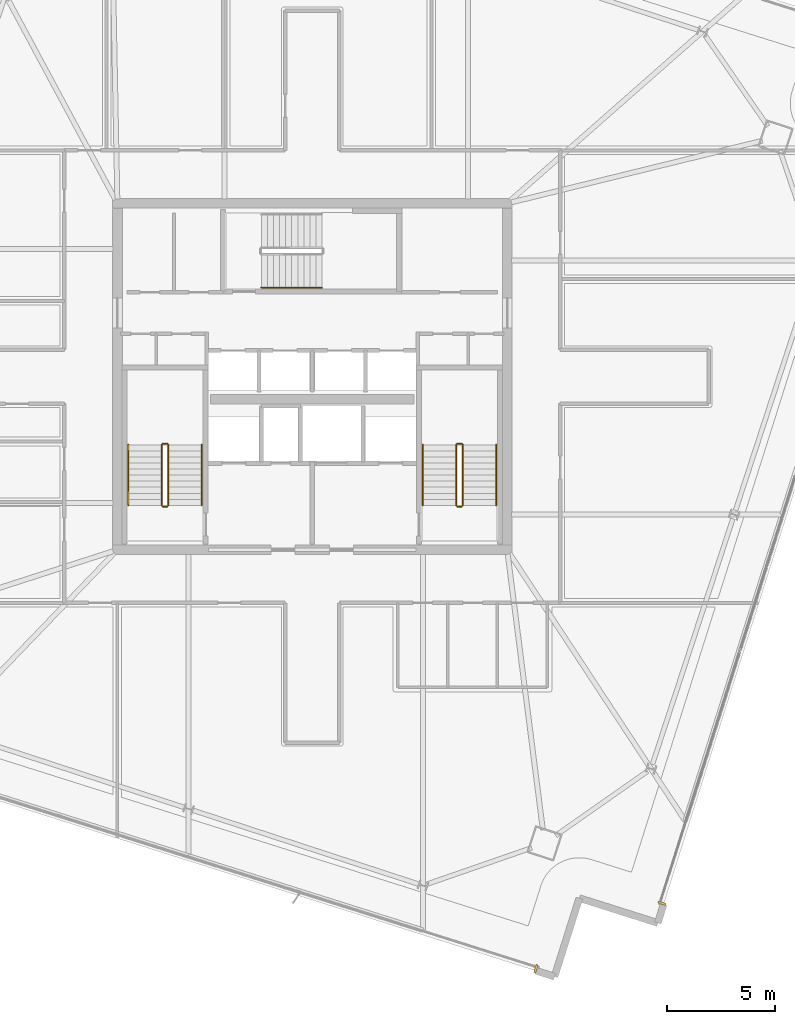
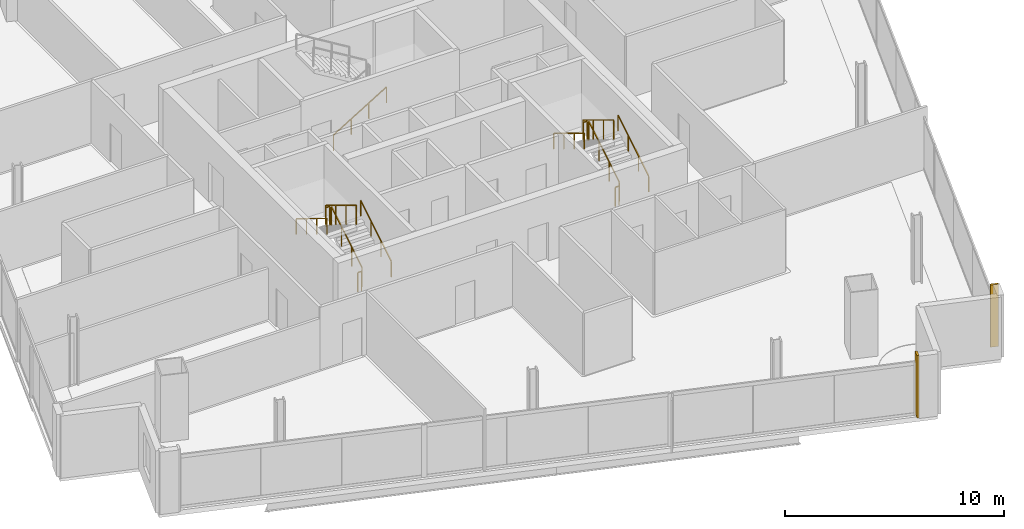
# One storey, part 23 of 26: 13 railings, 2 coverings.
"""IFC4 building model written with IfcOpenShell, lengths in metres."""

from ifc_helpers import new_model, si_unit, direction, frame, origin, origin_2d, place, context, subcontext, project, spatial, rectangle, extrude, source, transform, mapped, material, layer, layer_set, type_object, element, save


model = new_model("IFC4")

# Units and contexts
model_context = context("Model", 3, precision=1e-05, world=origin(), true_north=direction((0.0, 1.0)))
body_context = subcontext(model_context, "Body", "Model", "MODEL_VIEW")
ifc_project = project(units=[si_unit("LENGTHUNIT", "METRE"), si_unit("AREAUNIT", "SQUARE_METRE"), si_unit("VOLUMEUNIT", "CUBIC_METRE"), si_unit("PLANEANGLEUNIT", "RADIAN"), si_unit("MASSUNIT", "GRAM", prefix="KILO")], contexts=[model_context])

# Site, building, storey
site_placement = place(None, origin())
site = spatial("IfcSite", under=ifc_project, at=site_placement, CompositionType="ELEMENT")
building_placement = place(site_placement, origin())
building = spatial("IfcBuilding", under=site, at=building_placement, Name="Haldenkirk Collegiate Tower", CompositionType="ELEMENT")
storey_placement = place(building_placement, frame((0.0, 0.0, 271.199951171875)))
storey = spatial("IfcBuildingStorey", under=building, at=storey_placement, Name="L68", CompositionType="ELEMENT", Elevation=271.199951171875)

# Railings
ifc_material_1 = material(Name="Painted architectural tubular steel", Category="steel")
railing_type_1 = type_object("IfcRailingType", Name="RLG-STAIR-GUARD-1100", PredefinedType="BALUSTRADE", material=ifc_material_1)
railing_1_placement = place(storey_placement, frame((29.35009765625, 20.050048828125, 0.17041015625)))
element("IfcRailing", 1, at=railing_1_placement, inside=storey, type_object=railing_type_1, Name="L68 ST-1 stair guard 1", PredefinedType="BALUSTRADE", context=body_context, shape_type="SweptSolid", body=[
    extrude(rectangle(XDim=0.048095703125, YDim=0.048095703125, at=origin_2d()), frame((0.0, 0.0, 1.076171875), z_axis=(0.0, 0.854169791009, 0.51999420009), x_axis=(-1.0, 0.0, 0.0)), (0.0, 0.0, 1.0), 3.278076171875),
    extrude(rectangle(XDim=0.0419921875, YDim=0.0419921875, at=origin_2d()), origin(), (0.0, 0.0, 1.0), 1.052001953125),
    extrude(rectangle(XDim=0.0419921875, YDim=0.0419921875, at=origin_2d()), frame((0.0, 0.933349609375, 0.568115234375)), (0.0, 0.0, 1.0), 1.052001953125),
    extrude(rectangle(XDim=0.0419921875, YDim=0.0419921875, at=origin_2d()), frame((0.0, 1.86669921875, 1.136474609375)), (0.0, 0.0, 1.0), 1.052001953125),
    extrude(rectangle(XDim=0.0419921875, YDim=0.0419921875, at=origin_2d()), frame((0.0, 2.800048828125, 1.70458984375)), (0.0, 0.0, 1.0), 1.052001953125),
])
railing_2_placement = place(storey_placement, frame((29.300048828125, 22.89990234375, 1.875)))
element("IfcRailing", 2, at=railing_2_placement, inside=storey, type_object=railing_type_1, Name="L68 ST-1 stair guard 2", PredefinedType="BALUSTRADE", context=body_context, shape_type="SweptSolid", body=[
    extrude(rectangle(XDim=0.048095703125, YDim=0.048095703125, at=origin_2d()), frame((0.0, 0.0, 1.076171875), z_axis=(-1.0, 0.0, 0.0), x_axis=(0.0, -1.0, 0.0)), (0.0, 0.0, 1.0), 0.199951171875),
    extrude(rectangle(XDim=0.0419921875, YDim=0.0419921875, at=origin_2d()), origin(), (0.0, 0.0, 1.0), 1.052001953125),
    extrude(rectangle(XDim=0.0419921875, YDim=0.0419921875, at=origin_2d()), frame((-0.199951171875, 0.0, 0.0)), (0.0, 0.0, 1.0), 1.052001953125),
])
railing_3_placement = place(storey_placement, frame((29.050048828125, 22.85009765625, 2.04541015625)))
element("IfcRailing", 3, at=railing_3_placement, inside=storey, type_object=railing_type_1, Name="L68 ST-1 stair guard 3", PredefinedType="BALUSTRADE", context=body_context, shape_type="SweptSolid", body=[
    extrude(rectangle(XDim=0.048095703125, YDim=0.048095703125, at=origin_2d()), frame((0.0, 0.0, 1.076171875), z_axis=(0.0, -0.854169791009, 0.51999420009), x_axis=(1.0, 0.0, 0.0)), (0.0, 0.0, 1.0), 3.278076171875),
    extrude(rectangle(XDim=0.0419921875, YDim=0.0419921875, at=origin_2d()), origin(), (0.0, 0.0, 1.0), 1.052001953125),
    extrude(rectangle(XDim=0.0419921875, YDim=0.0419921875, at=origin_2d()), frame((0.0, -0.933349609375, 0.568115234375)), (0.0, 0.0, 1.0), 1.052001953125),
    extrude(rectangle(XDim=0.0419921875, YDim=0.0419921875, at=origin_2d()), frame((0.0, -1.86669921875, 1.136474609375)), (0.0, 0.0, 1.0), 1.052001953125),
    extrude(rectangle(XDim=0.0419921875, YDim=0.0419921875, at=origin_2d()), frame((0.0, -2.800048828125, 1.70458984375)), (0.0, 0.0, 1.0), 1.052001953125),
])
railing_4_placement = place(storey_placement, frame((29.300048828125, 20.0, 0.0)))
element("IfcRailing", 4, at=railing_4_placement, inside=storey, type_object=railing_type_1, Name="L68 ST-1 stair guard 4", PredefinedType="BALUSTRADE", context=body_context, shape_type="SweptSolid", body=[
    extrude(rectangle(XDim=0.048095703125, YDim=0.048095703125, at=origin_2d()), frame((0.0, 0.0, 1.076171875), z_axis=(-1.0, 0.0, 0.0), x_axis=(0.0, -1.0, 0.0)), (0.0, 0.0, 1.0), 0.199951171875),
    extrude(rectangle(XDim=0.0419921875, YDim=0.0419921875, at=origin_2d()), origin(), (0.0, 0.0, 1.0), 1.052001953125),
    extrude(rectangle(XDim=0.0419921875, YDim=0.0419921875, at=origin_2d()), frame((-0.199951171875, 0.0, 0.0)), (0.0, 0.0, 1.0), 1.052001953125),
])
railing_5_placement = place(storey_placement, frame((42.949951171875, 20.050048828125, 0.17041015625)))
element("IfcRailing", 5, at=railing_5_placement, inside=storey, type_object=railing_type_1, Name="L68 ST-2 stair guard 1", PredefinedType="BALUSTRADE", context=body_context, shape_type="SweptSolid", body=[
    extrude(rectangle(XDim=0.048095703125, YDim=0.048095703125, at=origin_2d()), frame((0.0, 0.0, 1.076171875), z_axis=(0.0, 0.854169791009, 0.51999420009), x_axis=(-1.0, 0.0, 0.0)), (0.0, 0.0, 1.0), 3.278076171875),
    extrude(rectangle(XDim=0.0419921875, YDim=0.0419921875, at=origin_2d()), origin(), (0.0, 0.0, 1.0), 1.052001953125),
    extrude(rectangle(XDim=0.0419921875, YDim=0.0419921875, at=origin_2d()), frame((0.0, 0.933349609375, 0.568115234375)), (0.0, 0.0, 1.0), 1.052001953125),
    extrude(rectangle(XDim=0.0419921875, YDim=0.0419921875, at=origin_2d()), frame((0.0, 1.86669921875, 1.136474609375)), (0.0, 0.0, 1.0), 1.052001953125),
    extrude(rectangle(XDim=0.0419921875, YDim=0.0419921875, at=origin_2d()), frame((0.0, 2.800048828125, 1.70458984375)), (0.0, 0.0, 1.0), 1.052001953125),
])
railing_6_placement = place(storey_placement, frame((42.89990234375, 22.89990234375, 1.875)))
element("IfcRailing", 6, at=railing_6_placement, inside=storey, type_object=railing_type_1, Name="L68 ST-2 stair guard 2", PredefinedType="BALUSTRADE", context=body_context, shape_type="SweptSolid", body=[
    extrude(rectangle(XDim=0.048095703125, YDim=0.048095703125, at=origin_2d()), frame((0.0, 0.0, 1.076171875), z_axis=(-1.0, 0.0, 0.0), x_axis=(0.0, -1.0, 0.0)), (0.0, 0.0, 1.0), 0.199951171875),
    extrude(rectangle(XDim=0.0419921875, YDim=0.0419921875, at=origin_2d()), origin(), (0.0, 0.0, 1.0), 1.052001953125),
    extrude(rectangle(XDim=0.0419921875, YDim=0.0419921875, at=origin_2d()), frame((-0.199951171875, 0.0, 0.0)), (0.0, 0.0, 1.0), 1.052001953125),
])
railing_7_placement = place(storey_placement, frame((42.64990234375, 22.85009765625, 2.04541015625)))
element("IfcRailing", 7, at=railing_7_placement, inside=storey, type_object=railing_type_1, Name="L68 ST-2 stair guard 3", PredefinedType="BALUSTRADE", context=body_context, shape_type="SweptSolid", body=[
    extrude(rectangle(XDim=0.048095703125, YDim=0.048095703125, at=origin_2d()), frame((0.0, 0.0, 1.076171875), z_axis=(0.0, -0.854169791009, 0.51999420009), x_axis=(1.0, 0.0, 0.0)), (0.0, 0.0, 1.0), 3.278076171875),
    extrude(rectangle(XDim=0.0419921875, YDim=0.0419921875, at=origin_2d()), origin(), (0.0, 0.0, 1.0), 1.052001953125),
    extrude(rectangle(XDim=0.0419921875, YDim=0.0419921875, at=origin_2d()), frame((0.0, -0.933349609375, 0.568115234375)), (0.0, 0.0, 1.0), 1.052001953125),
    extrude(rectangle(XDim=0.0419921875, YDim=0.0419921875, at=origin_2d()), frame((0.0, -1.86669921875, 1.136474609375)), (0.0, 0.0, 1.0), 1.052001953125),
    extrude(rectangle(XDim=0.0419921875, YDim=0.0419921875, at=origin_2d()), frame((0.0, -2.800048828125, 1.70458984375)), (0.0, 0.0, 1.0), 1.052001953125),
])
railing_8_placement = place(storey_placement, frame((42.89990234375, 20.0, 0.0)))
element("IfcRailing", 8, at=railing_8_placement, inside=storey, type_object=railing_type_1, Name="L68 ST-2 stair guard 4", PredefinedType="BALUSTRADE", context=body_context, shape_type="SweptSolid", body=[
    extrude(rectangle(XDim=0.048095703125, YDim=0.048095703125, at=origin_2d()), frame((0.0, 0.0, 1.076171875), z_axis=(-1.0, 0.0, 0.0), x_axis=(0.0, -1.0, 0.0)), (0.0, 0.0, 1.0), 0.199951171875),
    extrude(rectangle(XDim=0.0419921875, YDim=0.0419921875, at=origin_2d()), origin(), (0.0, 0.0, 1.0), 1.052001953125),
    extrude(rectangle(XDim=0.0419921875, YDim=0.0419921875, at=origin_2d()), frame((-0.199951171875, 0.0, 0.0)), (0.0, 0.0, 1.0), 1.052001953125),
])
railing_type_2 = type_object("IfcRailingType", Name="RLG-STAIR-HANDRAIL-900", PredefinedType="HANDRAIL", material=ifc_material_1)
railing_9_placement = place(storey_placement, frame((30.89990234375, 20.050048828125, 0.17041015625)))
element("IfcRailing", 9, at=railing_9_placement, inside=storey, type_object=railing_type_2, Name="L68 ST-1 stair handrail 1", PredefinedType="HANDRAIL", context=body_context, shape_type="SweptSolid", body=[
    extrude(rectangle(XDim=0.048095703125, YDim=0.048095703125, at=origin_2d()), frame((0.0, 0.0, 0.8759765625), z_axis=(0.0, 0.854169791009, 0.51999420009), x_axis=(-1.0, 0.0, 0.0)), (0.0, 0.0, 1.0), 3.278076171875),
    extrude(rectangle(XDim=0.0419921875, YDim=0.0419921875, at=origin_2d()), origin(), (0.0, 0.0, 1.0), 0.851806640625),
    extrude(rectangle(XDim=0.0419921875, YDim=0.0419921875, at=origin_2d()), frame((0.0, 0.933349609375, 0.568115234375)), (0.0, 0.0, 1.0), 0.851806640625),
    extrude(rectangle(XDim=0.0419921875, YDim=0.0419921875, at=origin_2d()), frame((0.0, 1.86669921875, 1.136474609375)), (0.0, 0.0, 1.0), 0.851806640625),
    extrude(rectangle(XDim=0.0419921875, YDim=0.0419921875, at=origin_2d()), frame((0.0, 2.800048828125, 1.70458984375)), (0.0, 0.0, 1.0), 0.851806640625),
])
railing_10_placement = place(storey_placement, frame((27.5, 22.85009765625, 2.04541015625)))
element("IfcRailing", 10, at=railing_10_placement, inside=storey, type_object=railing_type_2, Name="L68 ST-1 stair handrail 2", PredefinedType="HANDRAIL", context=body_context, shape_type="SweptSolid", body=[
    extrude(rectangle(XDim=0.048095703125, YDim=0.048095703125, at=origin_2d()), frame((0.0, 0.0, 0.8759765625), z_axis=(0.0, -0.854169791009, 0.51999420009), x_axis=(1.0, 0.0, 0.0)), (0.0, 0.0, 1.0), 3.278076171875),
    extrude(rectangle(XDim=0.0419921875, YDim=0.0419921875, at=origin_2d()), origin(), (0.0, 0.0, 1.0), 0.851806640625),
    extrude(rectangle(XDim=0.0419921875, YDim=0.0419921875, at=origin_2d()), frame((0.0, -0.933349609375, 0.568115234375)), (0.0, 0.0, 1.0), 0.851806640625),
    extrude(rectangle(XDim=0.0419921875, YDim=0.0419921875, at=origin_2d()), frame((0.0, -1.86669921875, 1.136474609375)), (0.0, 0.0, 1.0), 0.851806640625),
    extrude(rectangle(XDim=0.0419921875, YDim=0.0419921875, at=origin_2d()), frame((0.0, -2.800048828125, 1.70458984375)), (0.0, 0.0, 1.0), 0.851806640625),
])
railing_11_placement = place(storey_placement, frame((44.5, 20.050048828125, 0.17041015625)))
element("IfcRailing", 11, at=railing_11_placement, inside=storey, type_object=railing_type_2, Name="L68 ST-2 stair handrail 1", PredefinedType="HANDRAIL", context=body_context, shape_type="SweptSolid", body=[
    extrude(rectangle(XDim=0.048095703125, YDim=0.048095703125, at=origin_2d()), frame((0.0, 0.0, 0.8759765625), z_axis=(0.0, 0.854169791009, 0.51999420009), x_axis=(-1.0, 0.0, 0.0)), (0.0, 0.0, 1.0), 3.278076171875),
    extrude(rectangle(XDim=0.0419921875, YDim=0.0419921875, at=origin_2d()), origin(), (0.0, 0.0, 1.0), 0.851806640625),
    extrude(rectangle(XDim=0.0419921875, YDim=0.0419921875, at=origin_2d()), frame((0.0, 0.933349609375, 0.568115234375)), (0.0, 0.0, 1.0), 0.851806640625),
    extrude(rectangle(XDim=0.0419921875, YDim=0.0419921875, at=origin_2d()), frame((0.0, 1.86669921875, 1.136474609375)), (0.0, 0.0, 1.0), 0.851806640625),
    extrude(rectangle(XDim=0.0419921875, YDim=0.0419921875, at=origin_2d()), frame((0.0, 2.800048828125, 1.70458984375)), (0.0, 0.0, 1.0), 0.851806640625),
])
railing_12_placement = place(storey_placement, frame((41.10009765625, 22.85009765625, 2.04541015625)))
element("IfcRailing", 12, at=railing_12_placement, inside=storey, type_object=railing_type_2, Name="L68 ST-2 stair handrail 2", PredefinedType="HANDRAIL", context=body_context, shape_type="SweptSolid", body=[
    extrude(rectangle(XDim=0.048095703125, YDim=0.048095703125, at=origin_2d()), frame((0.0, 0.0, 0.8759765625), z_axis=(0.0, -0.854169791009, 0.51999420009), x_axis=(1.0, 0.0, 0.0)), (0.0, 0.0, 1.0), 3.278076171875),
    extrude(rectangle(XDim=0.0419921875, YDim=0.0419921875, at=origin_2d()), origin(), (0.0, 0.0, 1.0), 0.851806640625),
    extrude(rectangle(XDim=0.0419921875, YDim=0.0419921875, at=origin_2d()), frame((0.0, -0.933349609375, 0.568115234375)), (0.0, 0.0, 1.0), 0.851806640625),
    extrude(rectangle(XDim=0.0419921875, YDim=0.0419921875, at=origin_2d()), frame((0.0, -1.86669921875, 1.136474609375)), (0.0, 0.0, 1.0), 0.851806640625),
    extrude(rectangle(XDim=0.0419921875, YDim=0.0419921875, at=origin_2d()), frame((0.0, -2.800048828125, 1.70458984375)), (0.0, 0.0, 1.0), 0.851806640625),
])
railing_13_placement = place(storey_placement, frame((33.64990234375, 30.10009765625, 0.17041015625)))
element("IfcRailing", 13, at=railing_13_placement, inside=storey, type_object=railing_type_2, Name="L68 ST-3 stair handrail 1", PredefinedType="HANDRAIL", context=body_context, shape_type="SweptSolid", body=[
    extrude(rectangle(XDim=0.048095703125, YDim=0.048095703125, at=origin_2d()), frame((0.0, 0.0, 0.8759765625), z_axis=(0.854169791009, 0.0, 0.51999420009), x_axis=(0.0, 1.0, 0.0)), (0.0, 0.0, 1.0), 3.278076171875),
    extrude(rectangle(XDim=0.0419921875, YDim=0.0419921875, at=origin_2d()), origin(), (0.0, 0.0, 1.0), 0.851806640625),
    extrude(rectangle(XDim=0.0419921875, YDim=0.0419921875, at=origin_2d()), frame((0.933349609375, 0.0, 0.568115234375)), (0.0, 0.0, 1.0), 0.851806640625),
    extrude(rectangle(XDim=0.0419921875, YDim=0.0419921875, at=origin_2d()), frame((1.86669921875, 0.0, 1.136474609375)), (0.0, 0.0, 1.0), 0.851806640625),
    extrude(rectangle(XDim=0.0419921875, YDim=0.0419921875, at=origin_2d()), frame((2.800048828125, 0.0, 1.70458984375)), (0.0, 0.0, 1.0), 0.851806640625),
])

# Coverings
ifc_material_2 = material(Name="Anodised architectural bronze aluminium", Category="aluminium")
ifc_layer = layer(ifc_material_2, 0.06005859375)
ifc_layer_set = layer_set([ifc_layer], Name="Anodised architectural bronze aluminium")
covering_type = type_object("IfcCoveringType", Name="COV-CLAD-BRONZE-60", PredefinedType="CLADDING", material=ifc_layer_set)
shared_shape = source(origin(), body_context, "Body", "SweptSolid", [
    extrude(rectangle(XDim=0.10009765625, YDim=0.3798828125, at=origin_2d()), origin(), (0.0, 0.0, 1.0), 3.47998046875),
])
for number, where, z_axis, x_axis, name in (
    (14, (52.152587890625, 1.67724609375, 0.0), (0.0, 0.0, 1.0), (-0.301537959944, -0.953454172319, 0.0), "L68 recessed curtain-wall bronze jamb closure SJR"),
    (15, (46.329345703125, -1.34765625, 0.0), (0.0, 0.0, 1.0), (-0.953454172319, 0.301537959944, 0.0), "L68 recessed curtain-wall bronze jamb closure WJL"),
):
    element("IfcCovering", number, at=place(storey_placement, frame(where, z_axis=z_axis, x_axis=x_axis)), inside=storey, type_object=covering_type, Name=name, PredefinedType="CLADDING", context=body_context, shape_type="MappedRepresentation", body=[
        mapped(shared_shape, transform((0.0, 0.0, 0.0), x_axis=(1.0, 0.0, 0.0), y_axis=(0.0, 1.0, 0.0), z_axis=(0.0, 0.0, 1.0), scale=1.0)),
    ])

save(model, "model.ifc")
